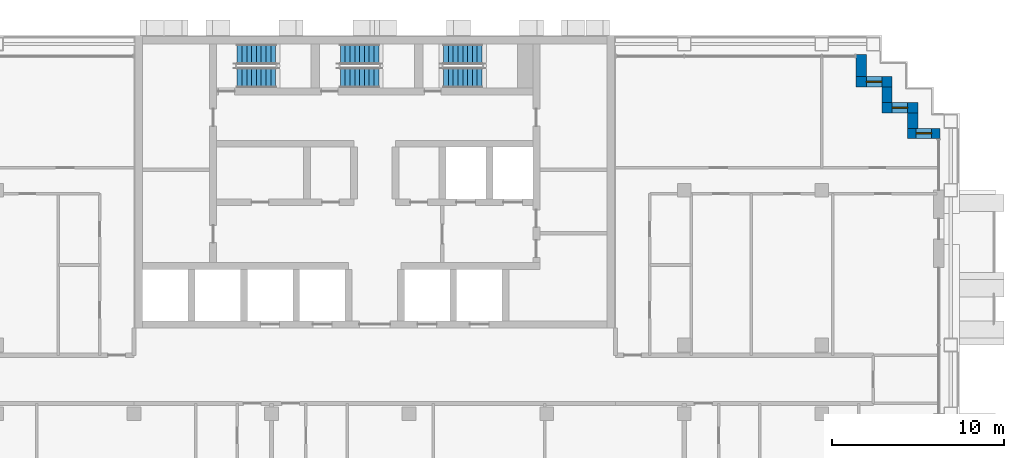
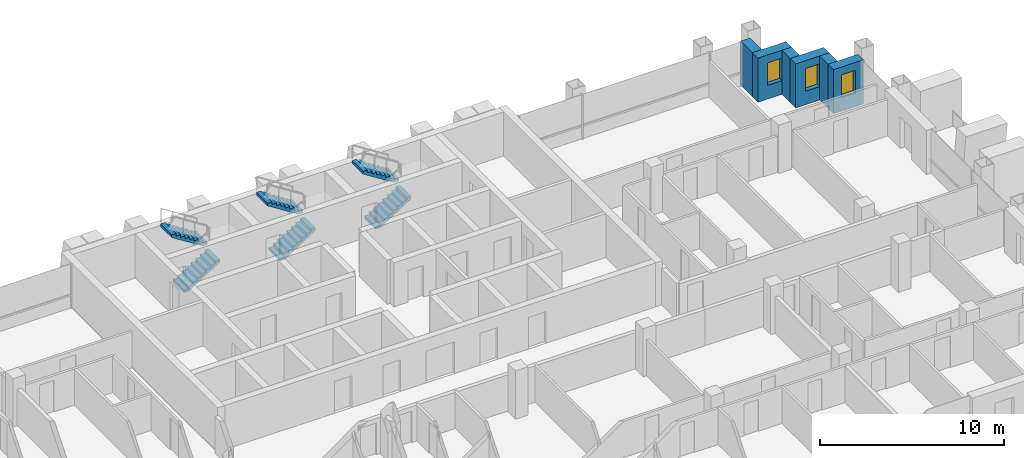
# One storey, part 12 of 16: 6 stair flights, 6 walls, 3 windows, 3 openings, 3 elements without a shape of their own.
"""IFC4 building model written with IfcOpenShell, lengths in metres."""

from ifc_helpers import new_model, si_unit, direction, frame, frame_2d, origin, place, context, subcontext, project, spatial, polyline, rectangle, outline, extrude, material, layer, layer_set, type_object, element, fill, aggregate, save


model = new_model("IFC4")

# Units and contexts
model_context = context("Model", 3, precision=1e-05, world=origin(), true_north=direction((0.0, 1.0)))
body_context = subcontext(model_context, "Body", "Model", "MODEL_VIEW")
ifc_project = project(units=[si_unit("LENGTHUNIT", "METRE"), si_unit("AREAUNIT", "SQUARE_METRE"), si_unit("VOLUMEUNIT", "CUBIC_METRE"), si_unit("PLANEANGLEUNIT", "RADIAN"), si_unit("MASSUNIT", "GRAM", prefix="KILO")], contexts=[model_context])

# Site, building, storey
site_placement = place(None, origin())
site = spatial("IfcSite", under=ifc_project, at=site_placement, CompositionType="ELEMENT")
building_placement = place(site_placement, origin())
building = spatial("IfcBuilding", under=site, at=building_placement, Name="Vidyagriha Tower", CompositionType="ELEMENT")
storey_placement = place(building_placement, frame((0.0, 0.0, 145.39990234375)))
storey = spatial("IfcBuildingStorey", under=building, at=storey_placement, Name="L38", CompositionType="ELEMENT", Elevation=145.39990234375)

# Wall, opening, window
ifc_material_1 = material(Name="Precast concrete C40/50 with brick facing", Category="concrete")
ifc_layer = layer(ifc_material_1, 0.60009765625)
ifc_layer_set = layer_set([ifc_layer], Name="Precast concrete C40/50 with brick facing")
wall_type = type_object("IfcWallType", Name="Brick-faced precast wall 600", PredefinedType="STANDARD", material=ifc_layer_set)
wall_1_placement = place(storey_placement, frame((32.8798828125, 14.300048828125, 0.0), z_axis=(0.0, 0.0, 1.0), x_axis=(-1.0, 0.0, 0.0)))
wall_1 = element("IfcWall", 1, at=wall_1_placement, inside=storey, type_object=wall_type, Name="Stepped corner wall L38 R01", PredefinedType="STANDARD", context=body_context, shape_type="SweptSolid", body=[
    extrude(rectangle(XDim=1.8798828125, YDim=0.60009765625, at=frame_2d((0.93994140625, 0.0))), origin(), (0.0, 0.0, 1.0), 2.920166015625),
])
opening_1_placement = place(wall_1_placement, frame((0.489990234375, 0.0, 0.89990234375)))
opening_1 = element("IfcOpeningElement", 2, at=opening_1_placement, cuts=wall_1, Name="Opening WN1", PredefinedType="OPENING", context=body_context, shape_type="SweptSolid", body=[
    extrude(rectangle(XDim=0.89990234375, YDim=1.5, at=frame_2d((0.449951171875, 0.75))), frame((0.0, 0.31005859375, 0.0), z_axis=(0.0, -1.0, 0.0), x_axis=(1.0, 0.0, 0.0)), (0.0, 0.0, 1.0), 0.6201171875),
])
ifc_material_2 = material(Name="Aluminium and glass window", Category="aluminium")
window_type = type_object("IfcWindowType", Name="Reveal window 900x1500", PartitioningType="NOTDEFINED", PredefinedType="WINDOW", material=ifc_material_2)
window_1_placement = place(opening_1_placement, origin())
window_1 = element("IfcWindow", 3, at=window_1_placement, inside=storey, type_object=window_type, Name="Reveal window L38 R01", OverallHeight=1.5, OverallWidth=0.89990234375, PartitioningType="SINGLE_PANEL", PredefinedType="WINDOW", context=body_context, shape_type="SweptSolid", body=[
    extrude(rectangle(XDim=0.89990234375, YDim=1.5, at=frame_2d((0.449951171875, 0.75))), frame((0.0, 0.030029296875, 0.0), z_axis=(0.0, -1.0, 0.0), x_axis=(1.0, 0.0, 0.0)), (0.0, 0.0, 1.0), 0.06005859375),
])
fill(opening_1, window_1)

# Wall
wall_2_placement = place(storey_placement, frame((31.300048828125, 14.60009765625, 0.0), z_axis=(0.0, 0.0, 1.0), x_axis=(0.0, 1.0, 0.0)))
element("IfcWall", 4, at=wall_2_placement, inside=storey, type_object=wall_type, Name="Stepped corner wall L38 R02", PredefinedType="STANDARD", context=body_context, shape_type="SweptSolid", body=[
    extrude(rectangle(XDim=0.89990234375, YDim=0.60009765625, at=frame_2d((0.449951171875, 0.0))), origin(), (0.0, 0.0, 1.0), 2.920166015625),
])

# Wall, opening, window
wall_3_placement = place(storey_placement, frame((31.60009765625, 15.800048828125, 0.0), z_axis=(0.0, 0.0, 1.0), x_axis=(-1.0, 0.0, 0.0)))
wall_3 = element("IfcWall", 5, at=wall_3_placement, inside=storey, type_object=wall_type, Name="Stepped corner wall L38 R03", PredefinedType="STANDARD", context=body_context, shape_type="SweptSolid", body=[
    extrude(rectangle(XDim=2.10009765625, YDim=0.60009765625, at=frame_2d((1.050048828125, 0.0))), origin(), (0.0, 0.0, 1.0), 2.920166015625),
])
opening_2_placement = place(wall_3_placement, frame((0.60009765625, 0.0, 0.89990234375)))
opening_2 = element("IfcOpeningElement", 6, at=opening_2_placement, cuts=wall_3, Name="Opening WN1", PredefinedType="OPENING", context=body_context, shape_type="SweptSolid", body=[
    extrude(rectangle(XDim=0.89990234375, YDim=1.5, at=frame_2d((0.449951171875, 0.75))), frame((0.0, 0.31005859375, 0.0), z_axis=(0.0, -1.0, 0.0), x_axis=(1.0, 0.0, 0.0)), (0.0, 0.0, 1.0), 0.6201171875),
])
window_2_placement = place(opening_2_placement, origin())
window_2 = element("IfcWindow", 7, at=window_2_placement, inside=storey, type_object=window_type, Name="Reveal window L38 R03", OverallHeight=1.5, OverallWidth=0.89990234375, PartitioningType="SINGLE_PANEL", PredefinedType="WINDOW", context=body_context, shape_type="SweptSolid", body=[
    extrude(rectangle(XDim=0.89990234375, YDim=1.5, at=frame_2d((0.449951171875, 0.75))), frame((0.0, 0.030029296875, 0.0), z_axis=(0.0, -1.0, 0.0), x_axis=(1.0, 0.0, 0.0)), (0.0, 0.0, 1.0), 0.06005859375),
])
fill(opening_2, window_2)

# Wall
wall_4_placement = place(storey_placement, frame((29.800048828125, 16.10009765625, 0.0), z_axis=(0.0, 0.0, 1.0), x_axis=(0.0, 1.0, 0.0)))
element("IfcWall", 8, at=wall_4_placement, inside=storey, type_object=wall_type, Name="Stepped corner wall L38 R04", PredefinedType="STANDARD", context=body_context, shape_type="SweptSolid", body=[
    extrude(rectangle(XDim=0.89990234375, YDim=0.60009765625, at=frame_2d((0.449951171875, 0.0))), origin(), (0.0, 0.0, 1.0), 2.920166015625),
])

# Wall, opening, window
wall_5_placement = place(storey_placement, frame((30.10009765625, 17.300048828125, 0.0), z_axis=(0.0, 0.0, 1.0), x_axis=(-1.0, 0.0, 0.0)))
wall_5 = element("IfcWall", 9, at=wall_5_placement, inside=storey, type_object=wall_type, Name="Stepped corner wall L38 R05", PredefinedType="STANDARD", context=body_context, shape_type="SweptSolid", body=[
    extrude(rectangle(XDim=2.10009765625, YDim=0.60009765625, at=frame_2d((1.050048828125, 0.0))), origin(), (0.0, 0.0, 1.0), 2.920166015625),
])
opening_3_placement = place(wall_5_placement, frame((0.60009765625, 0.0, 0.89990234375)))
opening_3 = element("IfcOpeningElement", 10, at=opening_3_placement, cuts=wall_5, Name="Opening WN1", PredefinedType="OPENING", context=body_context, shape_type="SweptSolid", body=[
    extrude(rectangle(XDim=0.89990234375, YDim=1.5, at=frame_2d((0.449951171875, 0.75))), frame((0.0, 0.31005859375, 0.0), z_axis=(0.0, -1.0, 0.0), x_axis=(1.0, 0.0, 0.0)), (0.0, 0.0, 1.0), 0.6201171875),
])
window_3_placement = place(opening_3_placement, origin())
window_3 = element("IfcWindow", 11, at=window_3_placement, inside=storey, type_object=window_type, Name="Reveal window L38 R05", OverallHeight=1.5, OverallWidth=0.89990234375, PartitioningType="SINGLE_PANEL", PredefinedType="WINDOW", context=body_context, shape_type="SweptSolid", body=[
    extrude(rectangle(XDim=0.89990234375, YDim=1.5, at=frame_2d((0.449951171875, 0.75))), frame((0.0, 0.030029296875, 0.0), z_axis=(0.0, -1.0, 0.0), x_axis=(1.0, 0.0, 0.0)), (0.0, 0.0, 1.0), 0.06005859375),
])
fill(opening_3, window_3)

# Wall
wall_6_placement = place(storey_placement, frame((28.300048828125, 17.60009765625, 0.0), z_axis=(0.0, 0.0, 1.0), x_axis=(0.0, 1.0, 0.0)))
element("IfcWall", 12, at=wall_6_placement, inside=storey, type_object=wall_type, Name="Stepped corner wall L38 R06", PredefinedType="STANDARD", context=body_context, shape_type="SweptSolid", body=[
    extrude(rectangle(XDim=1.27978515625, YDim=0.60009765625, at=frame_2d((0.639892578125, 0.0))), origin(), (0.0, 0.0, 1.0), 2.920166015625),
])

# Stair, stair flights
ifc_material_3 = material(Name="Concrete C40/50", Category="concrete")
stair_type = type_object("IfcStairType", Name="Exit stair, half-turn, precast flights", PredefinedType="HALF_TURN_STAIR", material=ifc_material_3)
stair_1_placement = place(storey_placement, origin())
stair_1 = element("IfcStair", 13, at=stair_1_placement, inside=storey, type_object=stair_type, Name="L38 Exit Stair ST1", PredefinedType="HALF_TURN_STAIR")
ifc_material_4 = material(Name="Precast concrete C40/50", Category="concrete")
stair_flight_type = type_object("IfcStairFlightType", Name="Exit stair flight 1200 mm, precast", PredefinedType="STRAIGHT", material=ifc_material_4)
stair_flight_1_placement = place(storey_placement, frame((-8.0, 17.550048828125, 0.0)))
stair_flight_1 = element("IfcStairFlight", 14, at=stair_flight_1_placement, type_object=stair_flight_type, Name="ST1 flight 1", NumberOfRisers=9, NumberOfTreads=8, PredefinedType="STRAIGHT", RiserHeight=0.177777778, TreadLength=0.28, context=body_context, shape_type="SweptSolid", body=[
    extrude(outline(polyline([(0.0, 0.0), (0.0, 0.177734375), (0.280029296875, 0.177734375), (0.280029296875, 0.35546875), (0.56005859375, 0.35546875), (0.56005859375, 0.533447265625), (0.840087890625, 0.533447265625), (0.840087890625, 0.711181640625), (1.1201171875, 0.711181640625), (1.1201171875, 0.888916015625), (1.39990234375, 0.888916015625), (1.39990234375, 1.066650390625), (1.679931640625, 1.066650390625), (1.679931640625, 1.244384765625), (1.9599609375, 1.244384765625), (1.9599609375, 1.422119140625), (2.239990234375, 1.422119140625), (2.239990234375, 1.60009765625), (2.239990234375, 1.24462890625), (0.27978515625, 0.0), (0.0, 0.0)])), frame((0.0, 0.60009765625, 0.0), z_axis=(0.0, -1.0, 0.0), x_axis=(1.0, 0.0, 0.0)), (0.0, 0.0, 1.0), 1.199951171875),
])
stair_flight_2_placement = place(storey_placement, frame((-5.760009765625, 18.89990234375, 1.60009765625), z_axis=(0.0, 0.0, 1.0), x_axis=(-1.0, 0.0, 0.0)))
stair_flight_2 = element("IfcStairFlight", 15, at=stair_flight_2_placement, type_object=stair_flight_type, Name="ST1 flight 2", NumberOfRisers=9, NumberOfTreads=8, PredefinedType="STRAIGHT", RiserHeight=0.177777778, TreadLength=0.28, context=body_context, shape_type="SweptSolid", body=[
    extrude(outline(polyline([(0.0, 0.0), (0.0, 0.177734375), (0.280029296875, 0.177734375), (0.280029296875, 0.35546875), (0.56005859375, 0.35546875), (0.56005859375, 0.533447265625), (0.840087890625, 0.533447265625), (0.840087890625, 0.711181640625), (1.1201171875, 0.711181640625), (1.1201171875, 0.888916015625), (1.39990234375, 0.888916015625), (1.39990234375, 1.066650390625), (1.679931640625, 1.066650390625), (1.679931640625, 1.244384765625), (1.9599609375, 1.244384765625), (1.9599609375, 1.422119140625), (2.239990234375, 1.422119140625), (2.239990234375, 1.60009765625), (2.239990234375, 1.24462890625), (0.27978515625, 0.0), (0.0, 0.0)])), frame((0.0, 0.60009765625, 0.0), z_axis=(0.0, -1.0, 0.0), x_axis=(1.0, 0.0, 0.0)), (0.0, 0.0, 1.0), 1.199951171875),
])
aggregate(stair_1, [stair_flight_1, stair_flight_2])

stair_2_placement = place(storey_placement, origin())
stair_2 = element("IfcStair", 16, at=stair_2_placement, inside=storey, type_object=stair_type, Name="L38 Exit Stair ST2", PredefinedType="HALF_TURN_STAIR")
stair_flight_3_placement = place(storey_placement, frame((-2.0, 17.550048828125, 0.0)))
stair_flight_3 = element("IfcStairFlight", 17, at=stair_flight_3_placement, type_object=stair_flight_type, Name="ST2 flight 1", NumberOfRisers=9, NumberOfTreads=8, PredefinedType="STRAIGHT", RiserHeight=0.177777778, TreadLength=0.28, context=body_context, shape_type="SweptSolid", body=[
    extrude(outline(polyline([(0.0, 0.0), (0.0, 0.177734375), (0.280029296875, 0.177734375), (0.280029296875, 0.35546875), (0.56005859375, 0.35546875), (0.56005859375, 0.533447265625), (0.840087890625, 0.533447265625), (0.840087890625, 0.711181640625), (1.1201171875, 0.711181640625), (1.1201171875, 0.888916015625), (1.39990234375, 0.888916015625), (1.39990234375, 1.066650390625), (1.679931640625, 1.066650390625), (1.679931640625, 1.244384765625), (1.9599609375, 1.244384765625), (1.9599609375, 1.422119140625), (2.239990234375, 1.422119140625), (2.239990234375, 1.60009765625), (2.239990234375, 1.24462890625), (0.27978515625, 0.0), (0.0, 0.0)])), frame((0.0, 0.60009765625, 0.0), z_axis=(0.0, -1.0, 0.0), x_axis=(1.0, 0.0, 0.0)), (0.0, 0.0, 1.0), 1.199951171875),
])
stair_flight_4_placement = place(storey_placement, frame((0.239990234375, 18.89990234375, 1.60009765625), z_axis=(0.0, 0.0, 1.0), x_axis=(-1.0, 0.0, 0.0)))
stair_flight_4 = element("IfcStairFlight", 18, at=stair_flight_4_placement, type_object=stair_flight_type, Name="ST2 flight 2", NumberOfRisers=9, NumberOfTreads=8, PredefinedType="STRAIGHT", RiserHeight=0.177777778, TreadLength=0.28, context=body_context, shape_type="SweptSolid", body=[
    extrude(outline(polyline([(0.0, 0.0), (0.0, 0.177734375), (0.280029296875, 0.177734375), (0.280029296875, 0.35546875), (0.56005859375, 0.35546875), (0.56005859375, 0.533447265625), (0.840087890625, 0.533447265625), (0.840087890625, 0.711181640625), (1.1201171875, 0.711181640625), (1.1201171875, 0.888916015625), (1.39990234375, 0.888916015625), (1.39990234375, 1.066650390625), (1.679931640625, 1.066650390625), (1.679931640625, 1.244384765625), (1.9599609375, 1.244384765625), (1.9599609375, 1.422119140625), (2.239990234375, 1.422119140625), (2.239990234375, 1.60009765625), (2.239990234375, 1.24462890625), (0.27978515625, 0.0), (0.0, 0.0)])), frame((0.0, 0.60009765625, 0.0), z_axis=(0.0, -1.0, 0.0), x_axis=(1.0, 0.0, 0.0)), (0.0, 0.0, 1.0), 1.199951171875),
])
aggregate(stair_2, [stair_flight_3, stair_flight_4])

stair_3_placement = place(storey_placement, origin())
stair_3 = element("IfcStair", 19, at=stair_3_placement, inside=storey, type_object=stair_type, Name="L38 Exit Stair ST3", PredefinedType="HALF_TURN_STAIR")
stair_flight_5_placement = place(storey_placement, frame((4.0, 17.550048828125, 0.0)))
stair_flight_5 = element("IfcStairFlight", 20, at=stair_flight_5_placement, type_object=stair_flight_type, Name="ST3 flight 1", NumberOfRisers=9, NumberOfTreads=8, PredefinedType="STRAIGHT", RiserHeight=0.177777778, TreadLength=0.28, context=body_context, shape_type="SweptSolid", body=[
    extrude(outline(polyline([(0.0, 0.0), (0.0, 0.177734375), (0.280029296875, 0.177734375), (0.280029296875, 0.35546875), (0.56005859375, 0.35546875), (0.56005859375, 0.533447265625), (0.840087890625, 0.533447265625), (0.840087890625, 0.711181640625), (1.1201171875, 0.711181640625), (1.1201171875, 0.888916015625), (1.39990234375, 0.888916015625), (1.39990234375, 1.066650390625), (1.679931640625, 1.066650390625), (1.679931640625, 1.244384765625), (1.9599609375, 1.244384765625), (1.9599609375, 1.422119140625), (2.239990234375, 1.422119140625), (2.239990234375, 1.60009765625), (2.239990234375, 1.24462890625), (0.27978515625, 0.0), (0.0, 0.0)])), frame((0.0, 0.60009765625, 0.0), z_axis=(0.0, -1.0, 0.0), x_axis=(1.0, 0.0, 0.0)), (0.0, 0.0, 1.0), 1.199951171875),
])
stair_flight_6_placement = place(storey_placement, frame((6.239990234375, 18.89990234375, 1.60009765625), z_axis=(0.0, 0.0, 1.0), x_axis=(-1.0, 0.0, 0.0)))
stair_flight_6 = element("IfcStairFlight", 21, at=stair_flight_6_placement, type_object=stair_flight_type, Name="ST3 flight 2", NumberOfRisers=9, NumberOfTreads=8, PredefinedType="STRAIGHT", RiserHeight=0.177777778, TreadLength=0.28, context=body_context, shape_type="SweptSolid", body=[
    extrude(outline(polyline([(0.0, 0.0), (0.0, 0.177734375), (0.280029296875, 0.177734375), (0.280029296875, 0.35546875), (0.56005859375, 0.35546875), (0.56005859375, 0.533447265625), (0.840087890625, 0.533447265625), (0.840087890625, 0.711181640625), (1.1201171875, 0.711181640625), (1.1201171875, 0.888916015625), (1.39990234375, 0.888916015625), (1.39990234375, 1.066650390625), (1.679931640625, 1.066650390625), (1.679931640625, 1.244384765625), (1.9599609375, 1.244384765625), (1.9599609375, 1.422119140625), (2.239990234375, 1.422119140625), (2.239990234375, 1.60009765625), (2.239990234375, 1.24462890625), (0.27978515625, 0.0), (0.0, 0.0)])), frame((0.0, 0.60009765625, 0.0), z_axis=(0.0, -1.0, 0.0), x_axis=(1.0, 0.0, 0.0)), (0.0, 0.0, 1.0), 1.199951171875),
])
aggregate(stair_3, [stair_flight_5, stair_flight_6])

save(model, "model.ifc")
